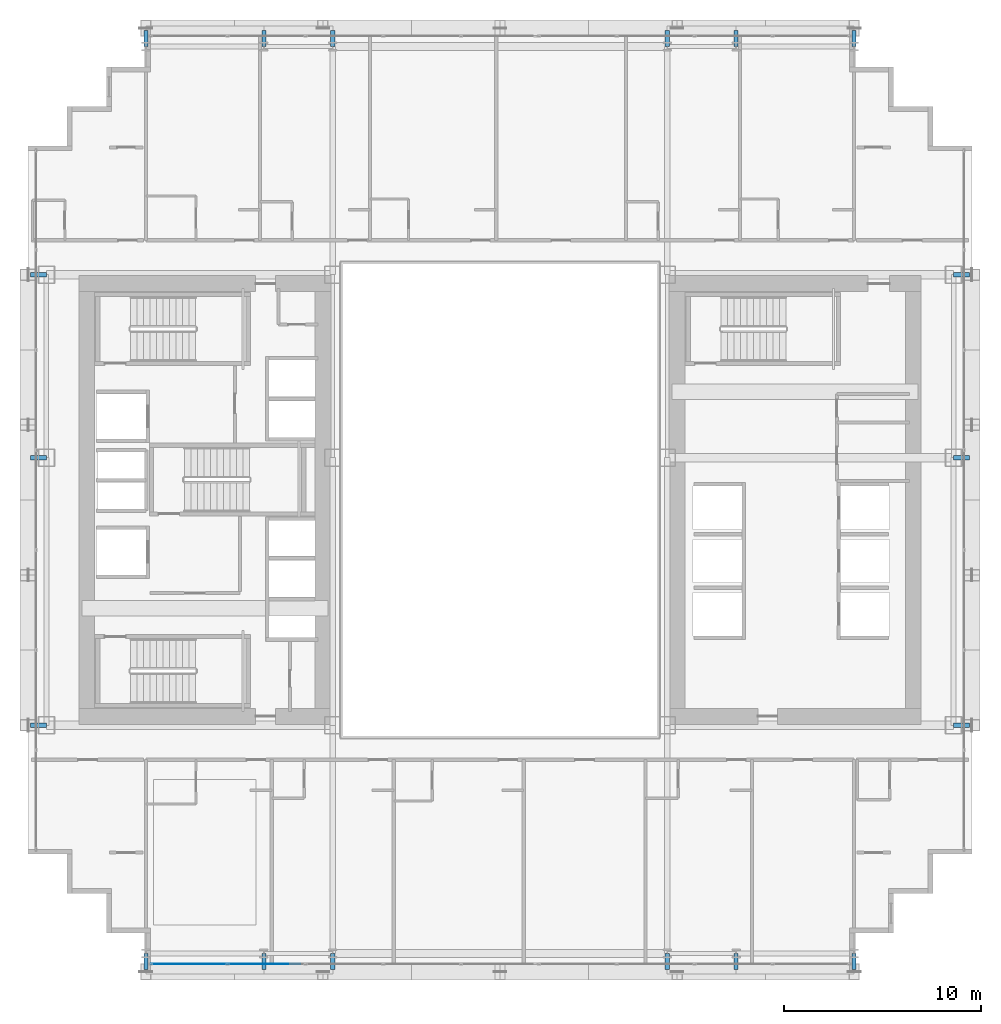
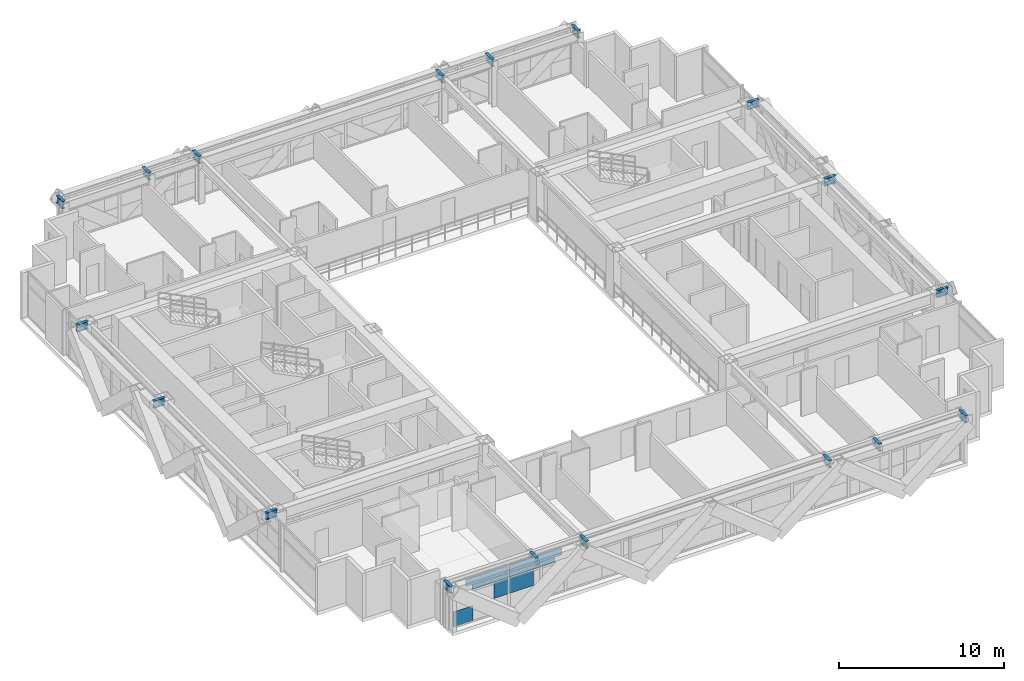
# One storey, part 23 of 38: 18 beams, 7 plates, 1 element without a shape of its own.
"""IFC4 building model written with IfcOpenShell, lengths in metres."""

import ifcopenshell
import ifcopenshell.guid

model = None  # the IFC model being written
_history = None  # IfcOwnerHistory: only IFC2X3 demands one
_inside = {}  # id of a spatial element -> (the spatial element, [elements in it])
_under = {}  # id of a project, library or spatial element -> (it, [spatial elements below it])
_declared = {}  # id of a project -> (the project, [libraries it declares])
_typed = {}  # id of a type object -> (the type object, [elements of that type])
_made_of = {}  # id of a material, layer set ... -> (it, [elements and type objects made of it])


def new_model(schema):
    """Start an empty IFC model of exactly this schema.

    Asked for "IFC4X3", IfcOpenShell would pick the latest addendum, in which some entities
    have other attributes; the version numbers below select the first issue.
    IFC2X3 requires an IfcOwnerHistory on every rooted entity: one is made here for all.
    """
    global model, _history
    if schema == "IFC4X3":
        model = ifcopenshell.file(schema_version=(4, 3, 0, 0))
    else:
        model = ifcopenshell.file(schema=schema)
    _inside.clear()
    _under.clear()
    _declared.clear()
    _typed.clear()
    _made_of.clear()
    _history = None
    if model.schema == "IFC2X3":
        org = make("IfcOrganization", Name="unknown")
        user = make(
            "IfcPersonAndOrganization",
            ThePerson=make("IfcPerson", FamilyName="unknown"),
            TheOrganization=org,
        )
        app = make(
            "IfcApplication",
            ApplicationDeveloper=org,
            Version="unknown",
            ApplicationFullName="unknown",
            ApplicationIdentifier="unknown",
        )
        _history = make(
            "IfcOwnerHistory",
            OwningUser=user,
            OwningApplication=app,
            ChangeAction="ADDED",
            CreationDate=0,
        )
    return model


def make(cls, **values):
    """One entity of the class cls with the attributes given. An attribute that is None is left unset."""
    return model.create_entity(
        cls, **{name: value for name, value in values.items() if value is not None}
    )


def rooted(cls, **values):
    """An entity with a GlobalId (a new one), such as an element, a storey or a relation."""
    return make(cls, GlobalId=ifcopenshell.guid.new(), OwnerHistory=_history, **values)


def si_unit(unit_type, name, prefix=None):
    """IfcSIUnit, for example si_unit("LENGTHUNIT", "METRE", prefix="MILLI")."""
    return make("IfcSIUnit", UnitType=unit_type, Prefix=prefix, Name=name)


def assignment(units):
    """IfcUnitAssignment: the units of a project."""
    return None if units is None else make("IfcUnitAssignment", Units=units)


def point(xyz):
    """IfcCartesianPoint."""
    return None if xyz is None else make("IfcCartesianPoint", Coordinates=xyz)


def direction(xyz):
    """IfcDirection."""
    return None if xyz is None else make("IfcDirection", DirectionRatios=xyz)


def frame(location, z_axis=None, x_axis=None):
    """IfcAxis2Placement3D, a coordinate frame: its origin and axes. An axis left out is left unset."""
    return make(
        "IfcAxis2Placement3D",
        Location=point(location),
        Axis=direction(z_axis),
        RefDirection=direction(x_axis),
    )


def frame_2d(location, x_axis=None):
    """IfcAxis2Placement2D, a coordinate frame in the plane: its origin and x axis."""
    return make(
        "IfcAxis2Placement2D", Location=point(location), RefDirection=direction(x_axis)
    )


def origin():
    """The frame at (0, 0, 0) with its axes left unset."""
    return frame((0.0, 0.0, 0.0))


def origin_2d():
    """The frame at (0, 0) in the plane with its x axis left unset."""
    return frame_2d((0.0, 0.0))


def place(relative_to, where):
    """IfcLocalPlacement: puts the frame where relative to a parent placement (None: the world)."""
    return make(
        "IfcLocalPlacement", PlacementRelTo=relative_to, RelativePlacement=where
    )


def context(
    kind, dimensions, precision=None, world=None, true_north=None, identifier=None
):
    """IfcGeometricRepresentationContext, for example the 3D "Model" context."""
    return make(
        "IfcGeometricRepresentationContext",
        ContextIdentifier=identifier,
        ContextType=kind,
        CoordinateSpaceDimension=dimensions,
        Precision=precision,
        WorldCoordinateSystem=world,
        TrueNorth=true_north,
    )


def subcontext(parent, identifier, kind, view, scale=None):
    """IfcGeometricRepresentationSubContext, for example "Body" below "Model"."""
    return make(
        "IfcGeometricRepresentationSubContext",
        ContextIdentifier=identifier,
        ContextType=kind,
        ParentContext=parent,
        TargetScale=scale,
        TargetView=view,
    )


def project(units=None, contexts=None):
    """IfcProject with its units and contexts."""
    return rooted(
        "IfcProject",
        Name="project",
        RepresentationContexts=contexts,
        UnitsInContext=assignment(units),
    )


def spatial(cls, under=None, at=None, **own):
    """A site, building, storey or space (cls), placed at a placement, below another one or the project."""
    s = rooted(cls, ObjectPlacement=at, **own)
    if under is not None:
        _under.setdefault(under.id(), (under, []))[1].append(s)
    return s


def profile(cls, at=None, kind="AREA", **sizes):
    """A parametric profile (cls). Its sizes go by their IFC names, for example OverallWidth=200.0."""
    return make(cls, ProfileType=kind, Position=at, **sizes)


def rectangle(**sizes):
    """IfcRectangleProfileDef."""
    return profile("IfcRectangleProfileDef", **sizes)


def i_section(**sizes):
    """IfcIShapeProfileDef."""
    return profile("IfcIShapeProfileDef", **sizes)


def extrude(swept, where, along, depth):
    """IfcExtrudedAreaSolid: the profile swept, set in the frame where, extruded along a direction by depth."""
    return make(
        "IfcExtrudedAreaSolid",
        SweptArea=swept,
        Position=where,
        ExtrudedDirection=direction(along),
        Depth=depth,
    )


def shape(context_of_items, identifier, shape_type, items):
    """IfcShapeRepresentation: the items that make up one representation, for example the "Body"."""
    return make(
        "IfcShapeRepresentation",
        ContextOfItems=context_of_items,
        RepresentationIdentifier=identifier,
        RepresentationType=shape_type,
        Items=items,
    )


def source(mapping_origin, context_of_items, identifier, shape_type, items):
    """IfcRepresentationMap: a shape defined once, which mapped items show again and again."""
    return make(
        "IfcRepresentationMap",
        MappingOrigin=mapping_origin,
        MappedRepresentation=shape(context_of_items, identifier, shape_type, items),
    )


def transform(
    local_origin,
    x_axis=None,
    y_axis=None,
    z_axis=None,
    scale=None,
    scale2=None,
    scale3=None,
    uniform=True,
):
    """IfcCartesianTransformationOperator3D, or its non-uniform kind. x_axis, y_axis, z_axis: its Axis1, 2, 3."""
    if uniform:
        return make(
            "IfcCartesianTransformationOperator3D",
            Axis1=direction(x_axis),
            Axis2=direction(y_axis),
            LocalOrigin=point(local_origin),
            Scale=scale,
            Axis3=direction(z_axis),
        )
    return make(
        "IfcCartesianTransformationOperator3DnonUniform",
        Axis1=direction(x_axis),
        Axis2=direction(y_axis),
        LocalOrigin=point(local_origin),
        Scale=scale,
        Axis3=direction(z_axis),
        Scale2=scale2,
        Scale3=scale3,
    )


def mapped(mapping_source, mapping_target):
    """IfcMappedItem: shows the shape of a source again, moved by a transform."""
    return make(
        "IfcMappedItem", MappingSource=mapping_source, MappingTarget=mapping_target
    )


def material(Name=None, Category=None):
    """IfcMaterial."""
    return make("IfcMaterial", Name=Name, Category=Category)


def layer(
    of_material, thickness, ventilated=None, Name=None, Category=None, Priority=None
):
    """IfcMaterialLayer: one layer of a wall or slab, of a material (None: an air gap)."""
    return make(
        "IfcMaterialLayer",
        Material=of_material,
        LayerThickness=thickness,
        IsVentilated=ventilated,
        Name=Name,
        Category=Category,
        Priority=Priority,
    )


def layer_set(layers, Name=None):
    """IfcMaterialLayerSet."""
    return make("IfcMaterialLayerSet", MaterialLayers=layers, LayerSetName=Name)


def material_profile(
    of_material, cross_section, Name=None, Category=None, Priority=None
):
    """IfcMaterialProfile: a cross section and its material."""
    return make(
        "IfcMaterialProfile",
        Name=Name,
        Material=of_material,
        Profile=cross_section,
        Priority=Priority,
        Category=Category,
    )


def profile_set(profiles, Name=None, composite=None):
    """IfcMaterialProfileSet."""
    return make(
        "IfcMaterialProfileSet",
        Name=Name,
        MaterialProfiles=profiles,
        CompositeProfile=composite,
    )


def made_of(thing, what):
    """Note that an element or type object is made of a material, layer set ...; save() writes the relation."""
    if what is not None:
        _made_of.setdefault(what.id(), (what, []))[1].append(thing)
    return thing


def type_object(cls, material=None, **own):
    """A type object (cls), such as IfcWallType, which elements share."""
    return made_of(rooted(cls, **own), material)


def element(
    cls,
    number,
    at=None,
    inside=None,
    cuts=None,
    type_object=None,
    material=None,
    context=None,
    identifier="Body",
    shape_type=None,
    held_by="IfcProductDefinitionShape",
    body=None,
    shapes=None,
    **own,
):
    """One element of the class cls, such as IfcWall. Its Tag is "e" and its number.

    at: its placement. inside: the storey or other place that contains it. cuts: it is an
    opening in that element (IfcRelVoidsElement). A single representation is given by context,
    identifier, shape_type and body (its items); several are given by shapes. held_by: the class
    of the entity that holds the representations. save() writes the other relations.
    """
    e = rooted(cls, Tag="e%d" % number, ObjectPlacement=at, **own)
    if body is not None:
        shapes = [shape(context, identifier, shape_type, body)]
    if shapes is not None:
        e.Representation = make(held_by, Representations=shapes)
    if inside is not None:
        _inside.setdefault(inside.id(), (inside, []))[1].append(e)
    if cuts is not None:
        rooted(
            "IfcRelVoidsElement", RelatingBuildingElement=cuts, RelatedOpeningElement=e
        )
    if type_object is not None:
        _typed.setdefault(type_object.id(), (type_object, []))[1].append(e)
    return made_of(e, material)


def aggregate(whole, parts):
    """IfcRelAggregates: a whole, such as a stair, and the parts it consists of."""
    return rooted("IfcRelAggregates", RelatingObject=whole, RelatedObjects=parts)


def save(model, path):
    """Write the relations noted so far, then the file.

    IfcRelAggregates (storeys below a building ...), IfcRelContainedInSpatialStructure (elements
    in a storey), IfcRelDefinesByType, IfcRelAssociatesMaterial and IfcRelDeclares: one each for
    every whole, place, type object, material and project.
    """
    for whole, parts in _under.values():
        aggregate(whole, parts)
    for where, things in _inside.values():
        rooted(
            "IfcRelContainedInSpatialStructure",
            RelatedElements=things,
            RelatingStructure=where,
        )
    for kind, things in _typed.values():
        rooted("IfcRelDefinesByType", RelatedObjects=things, RelatingType=kind)
    for what, things in _made_of.values():
        rooted("IfcRelAssociatesMaterial", RelatedObjects=things, RelatingMaterial=what)
    for by, libraries in _declared.values():
        rooted("IfcRelDeclares", RelatingContext=by, RelatedDefinitions=libraries)
    model.write(path)


model = new_model("IFC4")

# Units and contexts
model_context = context("Model", 3, precision=1e-05, world=origin(), true_north=direction((0.0, 1.0)))
body_context = subcontext(model_context, "Body", "Model", "MODEL_VIEW")
ifc_project = project(units=[si_unit("LENGTHUNIT", "METRE"), si_unit("AREAUNIT", "SQUARE_METRE"), si_unit("VOLUMEUNIT", "CUBIC_METRE"), si_unit("PLANEANGLEUNIT", "RADIAN"), si_unit("MASSUNIT", "GRAM", prefix="KILO")], contexts=[model_context])

# Site, building, storey
site_placement = place(None, origin())
site = spatial("IfcSite", under=ifc_project, at=site_placement, CompositionType="ELEMENT")
building_placement = place(site_placement, origin())
building = spatial("IfcBuilding", under=site, at=building_placement, Name="Ocotamira Hotel", CompositionType="ELEMENT")
storey_placement = place(building_placement, frame((0.0, 0.0, 45.60009765625)))
storey = spatial("IfcBuildingStorey", under=building, at=storey_placement, Name="L10", CompositionType="ELEMENT", Elevation=45.60009765625)

# Beams
ifc_material_1 = material(Name="Steel ASTM A992 Grade 50", Category="steel")
ifc_material_profile = material_profile(ifc_material_1, i_section(OverallWidth=0.2099609375, OverallDepth=0.537109375, WebThickness=0.010986328125, FlangeThickness=0.017333984375, FilletRadius=0.012939453125, at=origin_2d()), Name="W21X68")
ifc_profile_set = profile_set([ifc_material_profile], Name="Steel ASTM A992 Grade 50")
beam_type = type_object("IfcBeamType", Name="BM-SEC-W21X68", PredefinedType="JOIST", material=ifc_profile_set)
shared_shape_1 = source(origin(), body_context, "Body", "SweptSolid", [
    extrude(i_section(OverallWidth=0.2099609375, OverallDepth=0.537109375, WebThickness=0.010986328125, FlangeThickness=0.017333984375, FilletRadius=0.012939453125, at=origin_2d()), origin(), (0.0, 0.0, 1.0), 0.800048828125),
])
for number, where, z_axis, x_axis, name in (
    (1, (14.0, 2.949951171875, 3.081298828125), (0.0, -1.0, 0.0), (1.0, 0.0, 0.0), "L10 South Edge Header X14"),
    (2, (14.0, 49.050048828125, 3.081298828125), (0.0, 1.0, 0.0), (-1.0, 0.0, 0.0), "L10 North Edge Header X14"),
    (3, (20.0, 2.949951171875, 3.081298828125), (0.0, -1.0, 0.0), (1.0, 0.0, 0.0), "L10 South Edge Header X20"),
    (4, (20.0, 49.050048828125, 3.081298828125), (0.0, 1.0, 0.0), (-1.0, 0.0, 0.0), "L10 North Edge Header X20"),
    (5, (23.5, 2.949951171875, 3.081298828125), (0.0, -1.0, 0.0), (1.0, 0.0, 0.0), "L10 South Edge Header X23.5"),
    (6, (23.5, 49.050048828125, 3.081298828125), (0.0, 1.0, 0.0), (-1.0, 0.0, 0.0), "L10 North Edge Header X23.5"),
    (7, (40.5, 2.949951171875, 3.081298828125), (0.0, -1.0, 0.0), (1.0, 0.0, 0.0), "L10 South Edge Header X40.5"),
    (8, (40.5, 49.050048828125, 3.081298828125), (0.0, 1.0, 0.0), (-1.0, 0.0, 0.0), "L10 North Edge Header X40.5"),
    (9, (44.0, 2.949951171875, 3.081298828125), (0.0, -1.0, 0.0), (1.0, 0.0, 0.0), "L10 South Edge Header X44"),
    (10, (44.0, 49.050048828125, 3.081298828125), (0.0, 1.0, 0.0), (-1.0, 0.0, 0.0), "L10 North Edge Header X44"),
    (11, (50.0, 2.949951171875, 3.081298828125), (0.0, -1.0, 0.0), (1.0, 0.0, 0.0), "L10 South Edge Header X50"),
    (12, (50.0, 49.050048828125, 3.081298828125), (0.0, 1.0, 0.0), (-1.0, 0.0, 0.0), "L10 North Edge Header X50"),
    (13, (8.949951171875, 14.550048828125, 3.081298828125), (-1.0, 0.0, 0.0), (0.0, -1.0, 0.0), "L10 West Edge Header Y14.55"),
    (14, (55.050048828125, 14.550048828125, 3.081298828125), (1.0, 0.0, 0.0), (0.0, 1.0, 0.0), "L10 East Edge Header Y14.55"),
    (15, (8.949951171875, 28.14990234375, 3.081298828125), (-1.0, 0.0, 0.0), (0.0, -1.0, 0.0), "L10 West Edge Header Y28.15"),
    (16, (55.050048828125, 28.14990234375, 3.081298828125), (1.0, 0.0, 0.0), (0.0, 1.0, 0.0), "L10 East Edge Header Y28.15"),
    (17, (8.949951171875, 37.449951171875, 3.081298828125), (-1.0, 0.0, 0.0), (0.0, -1.0, 0.0), "L10 West Edge Header Y37.45"),
    (18, (55.050048828125, 37.449951171875, 3.081298828125), (1.0, 0.0, 0.0), (0.0, 1.0, 0.0), "L10 East Edge Header Y37.45"),
):
    element("IfcBeam", number, at=place(storey_placement, frame(where, z_axis=z_axis, x_axis=x_axis)), inside=storey, type_object=beam_type, Name=name, PredefinedType="JOIST", context=body_context, shape_type="MappedRepresentation", body=[
        mapped(shared_shape_1, transform((0.0, 0.0, 0.0), scale=1.0)),
    ])

# Curtain wall, plates
ifc_material_2 = material(Name="Anodised pale-metal aluminium and solar glass", Category="aluminium")
ifc_layer_1 = layer(ifc_material_2, 0.179931640625)
ifc_layer_set_1 = layer_set([ifc_layer_1], Name="Anodised pale-metal aluminium and solar glass")
curtain_wall_type = type_object("IfcCurtainWallType", Name="CW-SYS2-Z1", PredefinedType="NOTDEFINED", material=ifc_layer_set_1)
curtain_wall_placement = place(storey_placement, origin())
curtain_wall = element("IfcCurtainWall", 19, at=curtain_wall_placement, inside=storey, type_object=curtain_wall_type, Name="L10 Curtain Wall CW-2 CW-L10-S1", PredefinedType="NOTDEFINED")
ifc_material_3 = material(Name="Double-silver low-E insulated solar glass", Category="glass")
ifc_layer_2 = layer(ifc_material_3, 0.031982421875)
ifc_layer_set_2 = layer_set([ifc_layer_2], Name="Double-silver low-E insulated solar glass")
plate_type = type_object("IfcPlateType", Name="CWP-VISION-32", PredefinedType="CURTAIN_PANEL", material=ifc_layer_set_2)
shared_shape_2 = source(origin(), body_context, "Body", "SweptSolid", [
    extrude(rectangle(XDim=1.012451171875, YDim=0.031982421875, at=origin_2d()), origin(), (0.0, 0.0, 1.0), 1.11865234375),
])
plate_1_placement = place(storey_placement, frame((17.609375, 2.419921875, 1.193603515625), z_axis=(0.0, 0.0, 1.0), x_axis=(1.0, 0.0, 0.0)))
plate_1 = element("IfcPlate", 20, at=plate_1_placement, type_object=plate_type, Name="CW-2 panel 1.1.2", PredefinedType="CURTAIN_PANEL", context=body_context, shape_type="MappedRepresentation", body=[
    mapped(shared_shape_2, transform((0.0, 0.0, 0.0), scale=1.0)),
])
shared_shape_3 = source(origin(), body_context, "Body", "SweptSolid", [
    extrude(rectangle(XDim=2.9755859375, YDim=0.031982421875, at=origin_2d()), origin(), (0.0, 0.0, 1.0), 0.5107421875),
])
plate_2_placement = place(storey_placement, frame((16.627685546875, 2.419921875, 2.76416015625), z_axis=(0.0, 0.0, 1.0), x_axis=(1.0, 0.0, 0.0)))
plate_2 = element("IfcPlate", 21, at=plate_2_placement, type_object=plate_type, Name="CW-2 panel 1.2.1", PredefinedType="CURTAIN_PANEL", context=body_context, shape_type="MappedRepresentation", body=[
    mapped(shared_shape_3, transform((0.0, 0.0, 0.0), scale=1.0)),
])
shared_shape_4 = source(origin(), body_context, "Body", "SweptSolid", [
    extrude(rectangle(XDim=2.504638671875, YDim=0.031982421875, at=origin_2d()), origin(), (0.0, 0.0, 1.0), 0.345458984375),
])
plate_3_placement = place(storey_placement, frame((16.86328125, 2.419921875, 2.38720703125), z_axis=(0.0, 0.0, 1.0), x_axis=(1.0, 0.0, 0.0)))
plate_3 = element("IfcPlate", 22, at=plate_3_placement, type_object=plate_type, Name="CW-2 panel 1.2.2", PredefinedType="CURTAIN_PANEL", context=body_context, shape_type="MappedRepresentation", body=[
    mapped(shared_shape_4, transform((0.0, 0.0, 0.0), scale=1.0)),
])
shared_shape_5 = source(origin(), body_context, "Body", "SweptSolid", [
    extrude(rectangle(XDim=1.701416015625, YDim=0.031982421875, at=origin_2d()), origin(), (0.0, 0.0, 1.0), 1.11865234375),
])
plate_4_placement = place(storey_placement, frame((19.046142578125, 2.419921875, 1.193603515625), z_axis=(0.0, 0.0, 1.0), x_axis=(1.0, 0.0, 0.0)))
plate_4 = element("IfcPlate", 23, at=plate_4_placement, type_object=plate_type, Name="CW-2 panel 2.1.1", PredefinedType="CURTAIN_PANEL", context=body_context, shape_type="MappedRepresentation", body=[
    mapped(shared_shape_5, transform((0.0, 0.0, 0.0), scale=1.0)),
])
shared_shape_6 = source(origin(), body_context, "Body", "SweptSolid", [
    extrude(rectangle(XDim=3.193603515625, YDim=0.031982421875, at=origin_2d()), origin(), (0.0, 0.0, 1.0), 0.376708984375),
])
plate_5_placement = place(storey_placement, frame((19.792236328125, 2.419921875, 2.38720703125), z_axis=(0.0, 0.0, 1.0), x_axis=(1.0, 0.0, 0.0)))
plate_5 = element("IfcPlate", 24, at=plate_5_placement, type_object=plate_type, Name="CW-2 panel 2.2.1", PredefinedType="CURTAIN_PANEL", context=body_context, shape_type="MappedRepresentation", body=[
    mapped(shared_shape_6, transform((0.0, 0.0, 0.0), scale=1.0)),
])
shared_shape_7 = source(origin(), body_context, "Body", "SweptSolid", [
    extrude(rectangle(XDim=3.664306640625, YDim=0.031982421875, at=origin_2d()), origin(), (0.0, 0.0, 1.0), 0.5107421875),
])
plate_6_placement = place(storey_placement, frame((20.027587890625, 2.419921875, 2.76416015625), z_axis=(0.0, 0.0, 1.0), x_axis=(1.0, 0.0, 0.0)))
plate_6 = element("IfcPlate", 25, at=plate_6_placement, type_object=plate_type, Name="CW-2 panel 2.2.2", PredefinedType="CURTAIN_PANEL", context=body_context, shape_type="MappedRepresentation", body=[
    mapped(shared_shape_7, transform((0.0, 0.0, 0.0), scale=1.0)),
])
shared_shape_8 = source(origin(), body_context, "Body", "SweptSolid", [
    extrude(rectangle(XDim=1.382568359375, YDim=0.031982421875, at=origin_2d()), origin(), (0.0, 0.0, 1.0), 1.118896484375),
])
plate_7_placement = place(storey_placement, frame((14.97119140625, 2.419921875, 0.07470703125), z_axis=(0.0, 0.0, 1.0), x_axis=(1.0, 0.0, 0.0)))
plate_7 = element("IfcPlate", 26, at=plate_7_placement, type_object=plate_type, Name="CW-2 panel 1.1.1", PredefinedType="CURTAIN_PANEL", context=body_context, shape_type="MappedRepresentation", body=[
    mapped(shared_shape_8, transform((0.0, 0.0, 0.0), scale=1.0)),
])
aggregate(curtain_wall, [plate_7, plate_1, plate_2, plate_3, plate_4, plate_5, plate_6])

save(model, "model.ifc")
